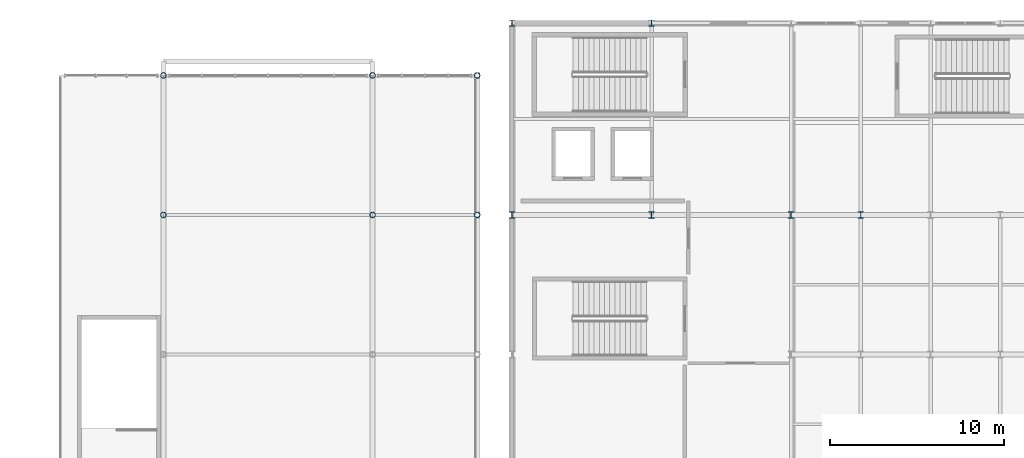
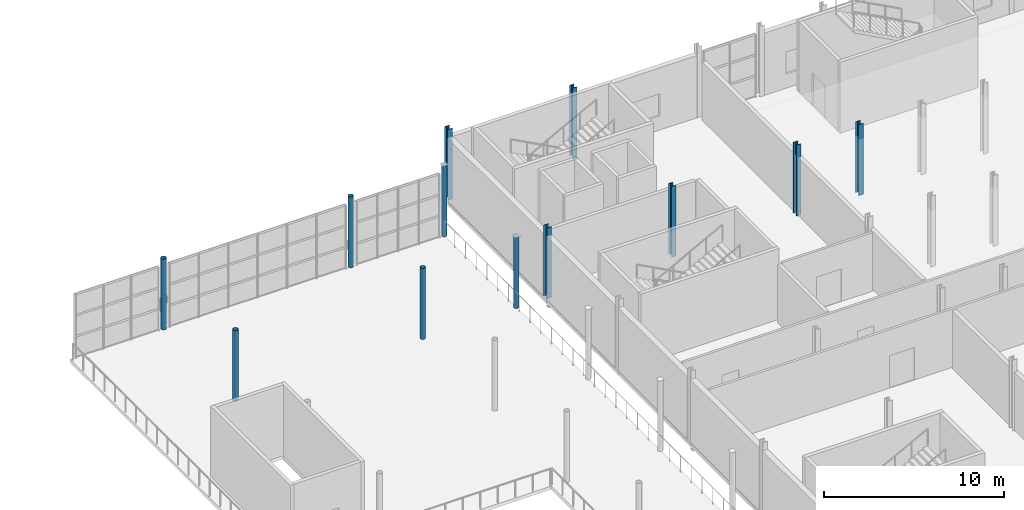
# One storey, part 13 of 143: 12 columns.
"""IFC4 building model written with IfcOpenShell, lengths in metres."""

import ifcopenshell
import ifcopenshell.guid

model = None  # the IFC model being written
_history = None  # IfcOwnerHistory: only IFC2X3 demands one
_inside = {}  # id of a spatial element -> (the spatial element, [elements in it])
_under = {}  # id of a project, library or spatial element -> (it, [spatial elements below it])
_declared = {}  # id of a project -> (the project, [libraries it declares])
_typed = {}  # id of a type object -> (the type object, [elements of that type])
_made_of = {}  # id of a material, layer set ... -> (it, [elements and type objects made of it])


def new_model(schema):
    """Start an empty IFC model of exactly this schema.

    Asked for "IFC4X3", IfcOpenShell would pick the latest addendum, in which some entities
    have other attributes; the version numbers below select the first issue.
    IFC2X3 requires an IfcOwnerHistory on every rooted entity: one is made here for all.
    """
    global model, _history
    if schema == "IFC4X3":
        model = ifcopenshell.file(schema_version=(4, 3, 0, 0))
    else:
        model = ifcopenshell.file(schema=schema)
    _inside.clear()
    _under.clear()
    _declared.clear()
    _typed.clear()
    _made_of.clear()
    _history = None
    if model.schema == "IFC2X3":
        org = make("IfcOrganization", Name="unknown")
        user = make(
            "IfcPersonAndOrganization",
            ThePerson=make("IfcPerson", FamilyName="unknown"),
            TheOrganization=org,
        )
        app = make(
            "IfcApplication",
            ApplicationDeveloper=org,
            Version="unknown",
            ApplicationFullName="unknown",
            ApplicationIdentifier="unknown",
        )
        _history = make(
            "IfcOwnerHistory",
            OwningUser=user,
            OwningApplication=app,
            ChangeAction="ADDED",
            CreationDate=0,
        )
    return model


def make(cls, **values):
    """One entity of the class cls with the attributes given. An attribute that is None is left unset."""
    return model.create_entity(
        cls, **{name: value for name, value in values.items() if value is not None}
    )


def rooted(cls, **values):
    """An entity with a GlobalId (a new one), such as an element, a storey or a relation."""
    return make(cls, GlobalId=ifcopenshell.guid.new(), OwnerHistory=_history, **values)


def si_unit(unit_type, name, prefix=None):
    """IfcSIUnit, for example si_unit("LENGTHUNIT", "METRE", prefix="MILLI")."""
    return make("IfcSIUnit", UnitType=unit_type, Prefix=prefix, Name=name)


def derived_unit(unit_type, elements):
    """IfcDerivedUnit: a product of units, each with its exponent."""
    return make(
        "IfcDerivedUnit",
        Elements=[
            make("IfcDerivedUnitElement", Unit=unit, Exponent=power)
            for unit, power in elements
        ],
        UnitType=unit_type,
    )


def assignment(units):
    """IfcUnitAssignment: the units of a project."""
    return None if units is None else make("IfcUnitAssignment", Units=units)


def point(xyz):
    """IfcCartesianPoint."""
    return None if xyz is None else make("IfcCartesianPoint", Coordinates=xyz)


def direction(xyz):
    """IfcDirection."""
    return None if xyz is None else make("IfcDirection", DirectionRatios=xyz)


def frame(location, z_axis=None, x_axis=None):
    """IfcAxis2Placement3D, a coordinate frame: its origin and axes. An axis left out is left unset."""
    return make(
        "IfcAxis2Placement3D",
        Location=point(location),
        Axis=direction(z_axis),
        RefDirection=direction(x_axis),
    )


def frame_2d(location, x_axis=None):
    """IfcAxis2Placement2D, a coordinate frame in the plane: its origin and x axis."""
    return make(
        "IfcAxis2Placement2D", Location=point(location), RefDirection=direction(x_axis)
    )


def origin():
    """The frame at (0, 0, 0) with its axes left unset."""
    return frame((0.0, 0.0, 0.0))


def origin_2d():
    """The frame at (0, 0) in the plane with its x axis left unset."""
    return frame_2d((0.0, 0.0))


def place(relative_to, where):
    """IfcLocalPlacement: puts the frame where relative to a parent placement (None: the world)."""
    return make(
        "IfcLocalPlacement", PlacementRelTo=relative_to, RelativePlacement=where
    )


def context(
    kind, dimensions, precision=None, world=None, true_north=None, identifier=None
):
    """IfcGeometricRepresentationContext, for example the 3D "Model" context."""
    return make(
        "IfcGeometricRepresentationContext",
        ContextIdentifier=identifier,
        ContextType=kind,
        CoordinateSpaceDimension=dimensions,
        Precision=precision,
        WorldCoordinateSystem=world,
        TrueNorth=true_north,
    )


def subcontext(parent, identifier, kind, view, scale=None):
    """IfcGeometricRepresentationSubContext, for example "Body" below "Model"."""
    return make(
        "IfcGeometricRepresentationSubContext",
        ContextIdentifier=identifier,
        ContextType=kind,
        ParentContext=parent,
        TargetScale=scale,
        TargetView=view,
    )


def project(units=None, contexts=None):
    """IfcProject with its units and contexts."""
    return rooted(
        "IfcProject",
        Name="project",
        RepresentationContexts=contexts,
        UnitsInContext=assignment(units),
    )


def spatial(cls, under=None, at=None, **own):
    """A site, building, storey or space (cls), placed at a placement, below another one or the project."""
    s = rooted(cls, ObjectPlacement=at, **own)
    if under is not None:
        _under.setdefault(under.id(), (under, []))[1].append(s)
    return s


def profile(cls, at=None, kind="AREA", **sizes):
    """A parametric profile (cls). Its sizes go by their IFC names, for example OverallWidth=200.0."""
    return make(cls, ProfileType=kind, Position=at, **sizes)


def hollow_circle(**sizes):
    """IfcCircleHollowProfileDef."""
    return profile("IfcCircleHollowProfileDef", **sizes)


def i_section(**sizes):
    """IfcIShapeProfileDef."""
    return profile("IfcIShapeProfileDef", **sizes)


def extrude(swept, where, along, depth):
    """IfcExtrudedAreaSolid: the profile swept, set in the frame where, extruded along a direction by depth."""
    return make(
        "IfcExtrudedAreaSolid",
        SweptArea=swept,
        Position=where,
        ExtrudedDirection=direction(along),
        Depth=depth,
    )


def shape(context_of_items, identifier, shape_type, items):
    """IfcShapeRepresentation: the items that make up one representation, for example the "Body"."""
    return make(
        "IfcShapeRepresentation",
        ContextOfItems=context_of_items,
        RepresentationIdentifier=identifier,
        RepresentationType=shape_type,
        Items=items,
    )


def material(Name=None, Category=None):
    """IfcMaterial."""
    return make("IfcMaterial", Name=Name, Category=Category)


def material_profile(
    of_material, cross_section, Name=None, Category=None, Priority=None
):
    """IfcMaterialProfile: a cross section and its material."""
    return make(
        "IfcMaterialProfile",
        Name=Name,
        Material=of_material,
        Profile=cross_section,
        Priority=Priority,
        Category=Category,
    )


def profile_set(profiles, Name=None, composite=None):
    """IfcMaterialProfileSet."""
    return make(
        "IfcMaterialProfileSet",
        Name=Name,
        MaterialProfiles=profiles,
        CompositeProfile=composite,
    )


def made_of(thing, what):
    """Note that an element or type object is made of a material, layer set ...; save() writes the relation."""
    if what is not None:
        _made_of.setdefault(what.id(), (what, []))[1].append(thing)
    return thing


def type_object(cls, material=None, **own):
    """A type object (cls), such as IfcWallType, which elements share."""
    return made_of(rooted(cls, **own), material)


def element(
    cls,
    number,
    at=None,
    inside=None,
    cuts=None,
    type_object=None,
    material=None,
    context=None,
    identifier="Body",
    shape_type=None,
    held_by="IfcProductDefinitionShape",
    body=None,
    shapes=None,
    **own,
):
    """One element of the class cls, such as IfcWall. Its Tag is "e" and its number.

    at: its placement. inside: the storey or other place that contains it. cuts: it is an
    opening in that element (IfcRelVoidsElement). A single representation is given by context,
    identifier, shape_type and body (its items); several are given by shapes. held_by: the class
    of the entity that holds the representations. save() writes the other relations.
    """
    e = rooted(cls, Tag="e%d" % number, ObjectPlacement=at, **own)
    if body is not None:
        shapes = [shape(context, identifier, shape_type, body)]
    if shapes is not None:
        e.Representation = make(held_by, Representations=shapes)
    if inside is not None:
        _inside.setdefault(inside.id(), (inside, []))[1].append(e)
    if cuts is not None:
        rooted(
            "IfcRelVoidsElement", RelatingBuildingElement=cuts, RelatedOpeningElement=e
        )
    if type_object is not None:
        _typed.setdefault(type_object.id(), (type_object, []))[1].append(e)
    return made_of(e, material)


def aggregate(whole, parts):
    """IfcRelAggregates: a whole, such as a stair, and the parts it consists of."""
    return rooted("IfcRelAggregates", RelatingObject=whole, RelatedObjects=parts)


def save(model, path):
    """Write the relations noted so far, then the file.

    IfcRelAggregates (storeys below a building ...), IfcRelContainedInSpatialStructure (elements
    in a storey), IfcRelDefinesByType, IfcRelAssociatesMaterial and IfcRelDeclares: one each for
    every whole, place, type object, material and project.
    """
    for whole, parts in _under.values():
        aggregate(whole, parts)
    for where, things in _inside.values():
        rooted(
            "IfcRelContainedInSpatialStructure",
            RelatedElements=things,
            RelatingStructure=where,
        )
    for kind, things in _typed.values():
        rooted("IfcRelDefinesByType", RelatedObjects=things, RelatingType=kind)
    for what, things in _made_of.values():
        rooted("IfcRelAssociatesMaterial", RelatedObjects=things, RelatingMaterial=what)
    for by, libraries in _declared.values():
        rooted("IfcRelDeclares", RelatingContext=by, RelatedDefinitions=libraries)
    model.write(path)


model = new_model("IFC4")

# Units and contexts
model_context = context("Model", 3, precision=1e-05, world=origin(), true_north=direction((0.0, 1.0)))
body_context = subcontext(model_context, "Body", "Model", "MODEL_VIEW")
ifc_project = project(units=[si_unit("LENGTHUNIT", "METRE"), si_unit("AREAUNIT", "SQUARE_METRE"), si_unit("VOLUMEUNIT", "CUBIC_METRE"), si_unit("PLANEANGLEUNIT", "RADIAN"), si_unit("MASSUNIT", "GRAM", prefix="KILO"), derived_unit("THERMALTRANSMITTANCEUNIT", [(si_unit("POWERUNIT", "WATT"), 1), (si_unit("LENGTHUNIT", "METRE"), -2), (si_unit("THERMODYNAMICTEMPERATUREUNIT", "KELVIN"), -1)])], contexts=[model_context])

# Site, building, storey
site_placement = place(None, origin())
site = spatial("IfcSite", under=ifc_project, at=site_placement, CompositionType="ELEMENT")
building_placement = place(site_placement, origin())
building = spatial("IfcBuilding", under=site, at=building_placement, Name="Keldorne Ridge Multi-Sports Centre", CompositionType="ELEMENT")
storey_placement = place(building_placement, frame((0.0, 0.0, 4.800048828125)))
storey = spatial("IfcBuildingStorey", under=building, at=storey_placement, Name="L01", CompositionType="ELEMENT", Elevation=4.800048828125)

# Columns
ifc_material = material(Name="Steel S355", Category="steel")
ifc_material_profile_1 = material_profile(ifc_material, hollow_circle(Radius=0.161865234375, WallThickness=0.01611328125, at=origin_2d()), Name="CHS 323.9x16")
ifc_profile_set_1 = profile_set([ifc_material_profile_1], Name="Steel S355")
column_type_1 = type_object("IfcColumnType", Name="COL-C-08", PredefinedType="COLUMN", material=ifc_profile_set_1)
for number, where, z_axis, x_axis, name in (
    (1, (84.0, 106.0, 0.0), (0.0, 0.0, 1.0), (1.0, 0.0, 0.0), "Structural column V4-G12-13 on L01"),
    (2, (96.0, 106.0, 0.0), (0.0, 0.0, 1.0), (1.0, 0.0, 0.0), "Structural column V4-G14-13 on L01"),
    (3, (102.0, 106.0, 0.0), (0.0, 0.0, 1.0), (1.0, 0.0, 0.0), "Structural column V4-G15-13 on L01"),
    (4, (84.0, 114.0, 0.0), (0.0, 0.0, 1.0), (1.0, 0.0, 0.0), "Structural column V4-G12-14 on L01"),
    (5, (96.0, 114.0, 0.0), (0.0, 0.0, 1.0), (1.0, 0.0, 0.0), "Structural column V4-G14-14 on L01"),
    (6, (102.0, 114.0, 0.0), (0.0, 0.0, 1.0), (1.0, 0.0, 0.0), "Structural column V4-G15-14 on L01"),
):
    element("IfcColumn", number, at=place(storey_placement, frame(where, z_axis=z_axis, x_axis=x_axis)), inside=storey, type_object=column_type_1, Name=name, PredefinedType="COLUMN", context=body_context, shape_type="SweptSolid", body=[
        extrude(hollow_circle(Radius=0.161865234375, WallThickness=0.01611328125, at=origin_2d()), origin(), (0.0, 0.0, 1.0), 4.800048828125),
    ])
ifc_material_profile_2 = material_profile(ifc_material, i_section(OverallWidth=0.300048828125, OverallDepth=0.360107421875, WebThickness=0.012451171875, FlangeThickness=0.0224609375, FilletRadius=0.027099609375, at=origin_2d()), Name="HEB 360")
ifc_profile_set_2 = profile_set([ifc_material_profile_2], Name="Steel S355")
column_type_2 = type_object("IfcColumnType", Name="COL-C-10", PredefinedType="COLUMN", material=ifc_profile_set_2)
for number, where, z_axis, x_axis, name in (
    (7, (104.0, 106.0, 0.0), (0.0, 0.0, 1.0), (1.0, 0.0, 0.0), "Structural column V5-C-01-06 on L01"),
    (8, (104.0, 117.0, 0.0), (0.0, 0.0, 1.0), (1.0, 0.0, 0.0), "Structural column V5-C-01-07 on L01"),
    (9, (112.0, 106.0, 0.0), (0.0, 0.0, 1.0), (1.0, 0.0, 0.0), "Structural column V5-C-02-06 on L01"),
    (10, (112.0, 117.0, 0.0), (0.0, 0.0, 1.0), (1.0, 0.0, 0.0), "Structural column V5-C-02-07 on L01"),
    (11, (120.0, 106.0, 0.0), (0.0, 0.0, 1.0), (1.0, 0.0, 0.0), "Structural column V5-C-03-06 on L01"),
    (12, (124.0, 106.0, 0.0), (0.0, 0.0, 1.0), (1.0, 0.0, 0.0), "Structural column V5-C-04-06 on L01"),
):
    element("IfcColumn", number, at=place(storey_placement, frame(where, z_axis=z_axis, x_axis=x_axis)), inside=storey, type_object=column_type_2, Name=name, PredefinedType="COLUMN", context=body_context, shape_type="SweptSolid", body=[
        extrude(i_section(OverallWidth=0.300048828125, OverallDepth=0.360107421875, WebThickness=0.012451171875, FlangeThickness=0.0224609375, FilletRadius=0.027099609375, at=origin_2d()), origin(), (0.0, 0.0, 1.0), 4.800048828125),
    ])

save(model, "model.ifc")
